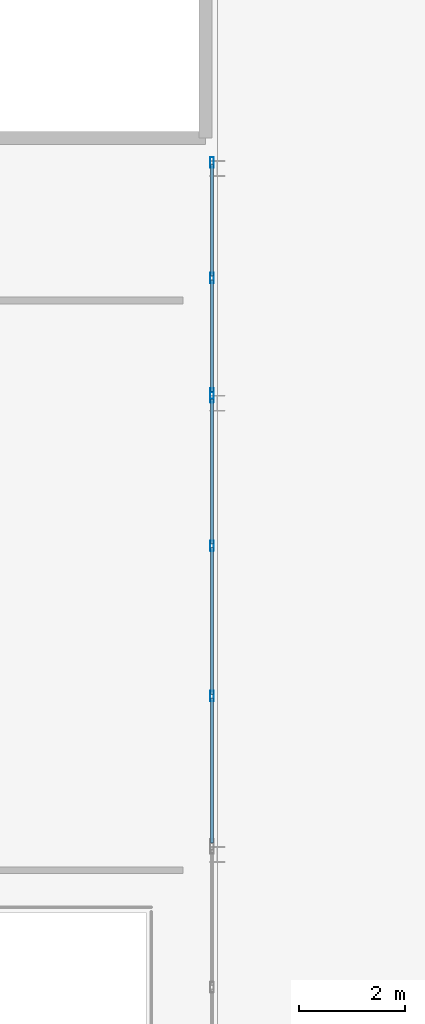
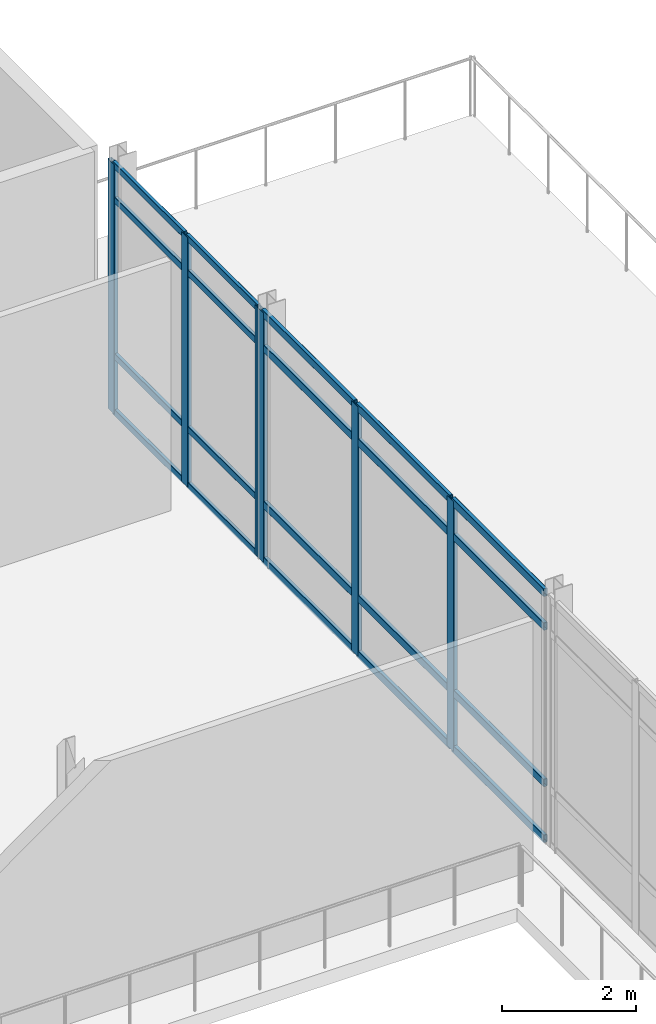
# One storey, part 77 of 154: 26 members, 2 elements without a shape of their own.
"""IFC4 building model written with IfcOpenShell, lengths in metres."""

from ifc_helpers import new_model, si_unit, direction, frame, origin, origin_2d, place, context, subcontext, project, spatial, hollow_rectangle, extrude, material, layer, layer_set, material_profile, profile_set, type_object, element, aggregate, save


model = new_model("IFC4")

# Units and contexts
model_context = context("Model", 3, precision=1e-05, world=origin(), true_north=direction((0.0, 1.0)))
body_context = subcontext(model_context, "Body", "Model", "MODEL_VIEW")
ifc_project = project(units=[si_unit("LENGTHUNIT", "METRE"), si_unit("AREAUNIT", "SQUARE_METRE"), si_unit("VOLUMEUNIT", "CUBIC_METRE"), si_unit("PLANEANGLEUNIT", "RADIAN"), si_unit("MASSUNIT", "GRAM", prefix="KILO")], contexts=[model_context])

# Site, building, storey
site_placement = place(None, origin())
site = spatial("IfcSite", under=ifc_project, at=site_placement, CompositionType="ELEMENT")
building_placement = place(site_placement, origin())
building = spatial("IfcBuilding", under=site, at=building_placement, Name="Kazehara Bluff Congress Hotel", CompositionType="ELEMENT")
storey_placement = place(building_placement, frame((0.0, 0.0, 10.199951171875)))
storey = spatial("IfcBuildingStorey", under=building, at=storey_placement, Name="L02", CompositionType="ELEMENT", Elevation=10.199951171875)

# Curtain wall, members
ifc_material_1 = material(Name="Anodised aluminium", Category="aluminium")
ifc_layer_1 = layer(ifc_material_1, 0.159912109375)
ifc_layer_set_1 = layer_set([ifc_layer_1], Name="Anodised aluminium")
curtain_wall_type_1 = type_object("IfcCurtainWallType", Name="TP-CW-137", PredefinedType="NOTDEFINED", material=ifc_layer_set_1)
curtain_wall_1_placement = place(storey_placement, origin())
curtain_wall_1 = element("IfcCurtainWall", 1, at=curtain_wall_1_placement, inside=storey, type_object=curtain_wall_type_1, Name="L02 curtain wall CW-137 CW-ENC-V3-L02-9275-10132", PredefinedType="NOTDEFINED")
ifc_material_2 = material(Name="Anodised aluminium", Category="aluminium")
ifc_material_profile_1 = material_profile(ifc_material_2, hollow_rectangle(XDim=0.070068359375, YDim=0.199951171875, WallThickness=0.0048828125, InnerFilletRadius=0.0048828125, OuterFilletRadius=0.010009765625, at=origin_2d()))
ifc_profile_set_1 = profile_set([ifc_material_profile_1], Name="Anodised aluminium")
member_type_1 = type_object("IfcMemberType", Name="TP-CWM-03", PredefinedType="MULLION", material=ifc_profile_set_1)
member_1_placement = place(storey_placement, frame((92.75, 105.56494140625, 0.0), z_axis=(0.0, 0.0, 1.0), x_axis=(1.0, 0.0, 0.0)))
member_1 = element("IfcMember", 2, at=member_1_placement, type_object=member_type_1, Name="CW-137 mullion 1", PredefinedType="MULLION", context=body_context, shape_type="SweptSolid", body=[
    extrude(hollow_rectangle(XDim=0.070068359375, YDim=0.199951171875, WallThickness=0.0048828125, InnerFilletRadius=0.0048828125, OuterFilletRadius=0.010009765625, at=origin_2d()), origin(), (0.0, 0.0, 1.0), 4.545166015625),
])
member_2_placement = place(storey_placement, frame((92.75, 102.75, 0.0), z_axis=(0.0, 0.0, 1.0), x_axis=(1.0, 0.0, 0.0)))
member_2 = element("IfcMember", 3, at=member_2_placement, type_object=member_type_1, Name="CW-137 mullion 2", PredefinedType="MULLION", context=body_context, shape_type="SweptSolid", body=[
    extrude(hollow_rectangle(XDim=0.070068359375, YDim=0.199951171875, WallThickness=0.0048828125, InnerFilletRadius=0.0048828125, OuterFilletRadius=0.010009765625, at=origin_2d()), origin(), (0.0, 0.0, 1.0), 4.545166015625),
])
member_3_placement = place(storey_placement, frame((92.75, 99.89990234375, 0.0), z_axis=(0.0, 0.0, 1.0), x_axis=(1.0, 0.0, 0.0)))
member_3 = element("IfcMember", 4, at=member_3_placement, type_object=member_type_1, Name="CW-137 mullion 3", PredefinedType="MULLION", context=body_context, shape_type="SweptSolid", body=[
    extrude(hollow_rectangle(XDim=0.070068359375, YDim=0.199951171875, WallThickness=0.0048828125, InnerFilletRadius=0.0048828125, OuterFilletRadius=0.010009765625, at=origin_2d()), origin(), (0.0, 0.0, 1.0), 4.545166015625),
])

ifc_material_3 = material(Name="Anodised aluminium", Category="aluminium")
ifc_layer_2 = layer(ifc_material_3, 0.159912109375)
ifc_layer_set_2 = layer_set([ifc_layer_2], Name="Anodised aluminium")
curtain_wall_type_2 = type_object("IfcCurtainWallType", Name="TP-CW-138", PredefinedType="NOTDEFINED", material=ifc_layer_set_2)
curtain_wall_2_placement = place(storey_placement, origin())
curtain_wall_2 = element("IfcCurtainWall", 5, at=curtain_wall_2_placement, inside=storey, type_object=curtain_wall_type_2, Name="L02 curtain wall CW-138 CW-ENC-V3-L02-9275-10782", PredefinedType="NOTDEFINED")
member_4_placement = place(storey_placement, frame((92.75, 110.014892578125, 0.0), z_axis=(0.0, 0.0, 1.0), x_axis=(1.0, 0.0, 0.0)))
member_4 = element("IfcMember", 6, at=member_4_placement, type_object=member_type_1, Name="CW-138 mullion 1", PredefinedType="MULLION", context=body_context, shape_type="SweptSolid", body=[
    extrude(hollow_rectangle(XDim=0.070068359375, YDim=0.199951171875, WallThickness=0.0048828125, InnerFilletRadius=0.0048828125, OuterFilletRadius=0.010009765625, at=origin_2d()), origin(), (0.0, 0.0, 1.0), 4.545166015625),
])
member_5_placement = place(storey_placement, frame((92.75, 107.824951171875, 0.0), z_axis=(0.0, 0.0, 1.0), x_axis=(1.0, 0.0, 0.0)))
member_5 = element("IfcMember", 7, at=member_5_placement, type_object=member_type_1, Name="CW-138 mullion 2", PredefinedType="MULLION", context=body_context, shape_type="SweptSolid", body=[
    extrude(hollow_rectangle(XDim=0.070068359375, YDim=0.199951171875, WallThickness=0.0048828125, InnerFilletRadius=0.0048828125, OuterFilletRadius=0.010009765625, at=origin_2d()), origin(), (0.0, 0.0, 1.0), 4.545166015625),
])
member_6_placement = place(storey_placement, frame((92.75, 105.635009765625, 0.0), z_axis=(0.0, 0.0, 1.0), x_axis=(1.0, 0.0, 0.0)))
member_6 = element("IfcMember", 8, at=member_6_placement, type_object=member_type_1, Name="CW-138 mullion 3", PredefinedType="MULLION", context=body_context, shape_type="SweptSolid", body=[
    extrude(hollow_rectangle(XDim=0.070068359375, YDim=0.199951171875, WallThickness=0.0048828125, InnerFilletRadius=0.0048828125, OuterFilletRadius=0.010009765625, at=origin_2d()), origin(), (0.0, 0.0, 1.0), 4.545166015625),
])
ifc_material_4 = material(Name="Anodised aluminium", Category="aluminium")
ifc_material_profile_2 = material_profile(ifc_material_4, hollow_rectangle(XDim=0.06005859375, YDim=0.1201171875, WallThickness=0.00390625, InnerFilletRadius=0.00390625, OuterFilletRadius=0.008056640625, at=origin_2d()))
ifc_profile_set_2 = profile_set([ifc_material_profile_2], Name="Anodised aluminium")
member_type_2 = type_object("IfcMemberType", Name="TP-CWT-01", PredefinedType="USERDEFINED", material=ifc_profile_set_2)
member_7_placement = place(storey_placement, frame((92.75, 109.97998046875, 0.030029296875), z_axis=(0.0, -1.0, 0.0), x_axis=(1.0, 0.0, 0.0)))
member_7 = element("IfcMember", 9, at=member_7_placement, type_object=member_type_2, Name="CW-138 transom 1.1", ObjectType="TRANSOM", PredefinedType="USERDEFINED", context=body_context, shape_type="SweptSolid", body=[
    extrude(hollow_rectangle(XDim=0.06005859375, YDim=0.1201171875, WallThickness=0.00390625, InnerFilletRadius=0.00390625, OuterFilletRadius=0.008056640625, at=origin_2d()), origin(), (0.0, 0.0, 1.0), 2.119873046875),
])
member_8_placement = place(storey_placement, frame((92.75, 109.97998046875, 1.050048828125), z_axis=(0.0, -1.0, 0.0), x_axis=(1.0, 0.0, 0.0)))
member_8 = element("IfcMember", 10, at=member_8_placement, type_object=member_type_2, Name="CW-138 transom 1.2", ObjectType="TRANSOM", PredefinedType="USERDEFINED", context=body_context, shape_type="SweptSolid", body=[
    extrude(hollow_rectangle(XDim=0.06005859375, YDim=0.1201171875, WallThickness=0.00390625, InnerFilletRadius=0.00390625, OuterFilletRadius=0.008056640625, at=origin_2d()), origin(), (0.0, 0.0, 1.0), 2.119873046875),
])
member_9_placement = place(storey_placement, frame((92.75, 109.97998046875, 3.89501953125), z_axis=(0.0, -1.0, 0.0), x_axis=(1.0, 0.0, 0.0)))
member_9 = element("IfcMember", 11, at=member_9_placement, type_object=member_type_2, Name="CW-138 transom 1.3", ObjectType="TRANSOM", PredefinedType="USERDEFINED", context=body_context, shape_type="SweptSolid", body=[
    extrude(hollow_rectangle(XDim=0.06005859375, YDim=0.1201171875, WallThickness=0.00390625, InnerFilletRadius=0.00390625, OuterFilletRadius=0.008056640625, at=origin_2d()), origin(), (0.0, 0.0, 1.0), 2.119873046875),
])
member_10_placement = place(storey_placement, frame((92.75, 109.97998046875, 4.51513671875), z_axis=(0.0, -1.0, 0.0), x_axis=(1.0, 0.0, 0.0)))
member_10 = element("IfcMember", 12, at=member_10_placement, type_object=member_type_2, Name="CW-138 transom 1.4", ObjectType="TRANSOM", PredefinedType="USERDEFINED", context=body_context, shape_type="SweptSolid", body=[
    extrude(hollow_rectangle(XDim=0.06005859375, YDim=0.1201171875, WallThickness=0.00390625, InnerFilletRadius=0.00390625, OuterFilletRadius=0.008056640625, at=origin_2d()), origin(), (0.0, 0.0, 1.0), 2.119873046875),
])
member_11_placement = place(storey_placement, frame((92.75, 107.7900390625, 0.030029296875), z_axis=(0.0, -1.0, 0.0), x_axis=(1.0, 0.0, 0.0)))
member_11 = element("IfcMember", 13, at=member_11_placement, type_object=member_type_2, Name="CW-138 transom 2.1", ObjectType="TRANSOM", PredefinedType="USERDEFINED", context=body_context, shape_type="SweptSolid", body=[
    extrude(hollow_rectangle(XDim=0.06005859375, YDim=0.1201171875, WallThickness=0.00390625, InnerFilletRadius=0.00390625, OuterFilletRadius=0.008056640625, at=origin_2d()), origin(), (0.0, 0.0, 1.0), 2.1201171875),
])
member_12_placement = place(storey_placement, frame((92.75, 107.7900390625, 1.050048828125), z_axis=(0.0, -1.0, 0.0), x_axis=(1.0, 0.0, 0.0)))
member_12 = element("IfcMember", 14, at=member_12_placement, type_object=member_type_2, Name="CW-138 transom 2.2", ObjectType="TRANSOM", PredefinedType="USERDEFINED", context=body_context, shape_type="SweptSolid", body=[
    extrude(hollow_rectangle(XDim=0.06005859375, YDim=0.1201171875, WallThickness=0.00390625, InnerFilletRadius=0.00390625, OuterFilletRadius=0.008056640625, at=origin_2d()), origin(), (0.0, 0.0, 1.0), 2.1201171875),
])
member_13_placement = place(storey_placement, frame((92.75, 107.7900390625, 3.89501953125), z_axis=(0.0, -1.0, 0.0), x_axis=(1.0, 0.0, 0.0)))
member_13 = element("IfcMember", 15, at=member_13_placement, type_object=member_type_2, Name="CW-138 transom 2.3", ObjectType="TRANSOM", PredefinedType="USERDEFINED", context=body_context, shape_type="SweptSolid", body=[
    extrude(hollow_rectangle(XDim=0.06005859375, YDim=0.1201171875, WallThickness=0.00390625, InnerFilletRadius=0.00390625, OuterFilletRadius=0.008056640625, at=origin_2d()), origin(), (0.0, 0.0, 1.0), 2.1201171875),
])
member_14_placement = place(storey_placement, frame((92.75, 107.7900390625, 4.51513671875), z_axis=(0.0, -1.0, 0.0), x_axis=(1.0, 0.0, 0.0)))
member_14 = element("IfcMember", 16, at=member_14_placement, type_object=member_type_2, Name="CW-138 transom 2.4", ObjectType="TRANSOM", PredefinedType="USERDEFINED", context=body_context, shape_type="SweptSolid", body=[
    extrude(hollow_rectangle(XDim=0.06005859375, YDim=0.1201171875, WallThickness=0.00390625, InnerFilletRadius=0.00390625, OuterFilletRadius=0.008056640625, at=origin_2d()), origin(), (0.0, 0.0, 1.0), 2.1201171875),
])
aggregate(curtain_wall_2, [member_4, member_5, member_6, member_7, member_8, member_9, member_10, member_11, member_12, member_13, member_14])

# Member
ifc_material_5 = material(Name="Anodised aluminium", Category="aluminium")
ifc_material_profile_3 = material_profile(ifc_material_5, hollow_rectangle(XDim=0.06494140625, YDim=0.139892578125, WallThickness=0.00390625, InnerFilletRadius=0.00390625, OuterFilletRadius=0.008056640625, at=origin_2d()))
ifc_profile_set_3 = profile_set([ifc_material_profile_3], Name="Anodised aluminium")
member_type_3 = type_object("IfcMemberType", Name="TP-CWT-02", PredefinedType="USERDEFINED", material=ifc_profile_set_3)
member_15_placement = place(storey_placement, frame((92.75, 105.530029296875, 0.032470703125), z_axis=(0.0, -1.0, 0.0), x_axis=(1.0, 0.0, 0.0)))
member_15 = element("IfcMember", 17, at=member_15_placement, type_object=member_type_3, Name="CW-137 transom 1.1", ObjectType="TRANSOM", PredefinedType="USERDEFINED", context=body_context, shape_type="SweptSolid", body=[
    extrude(hollow_rectangle(XDim=0.06494140625, YDim=0.139892578125, WallThickness=0.00390625, InnerFilletRadius=0.00390625, OuterFilletRadius=0.008056640625, at=origin_2d()), origin(), (0.0, 0.0, 1.0), 2.7451171875),
])

member_16_placement = place(storey_placement, frame((92.75, 105.530029296875, 1.050048828125), z_axis=(0.0, -1.0, 0.0), x_axis=(1.0, 0.0, 0.0)))
member_16 = element("IfcMember", 18, at=member_16_placement, type_object=member_type_3, Name="CW-137 transom 1.2", ObjectType="TRANSOM", PredefinedType="USERDEFINED", context=body_context, shape_type="SweptSolid", body=[
    extrude(hollow_rectangle(XDim=0.06494140625, YDim=0.139892578125, WallThickness=0.00390625, InnerFilletRadius=0.00390625, OuterFilletRadius=0.008056640625, at=origin_2d()), origin(), (0.0, 0.0, 1.0), 2.7451171875),
])

member_17_placement = place(storey_placement, frame((92.75, 105.530029296875, 3.89501953125), z_axis=(0.0, -1.0, 0.0), x_axis=(1.0, 0.0, 0.0)))
member_17 = element("IfcMember", 19, at=member_17_placement, type_object=member_type_3, Name="CW-137 transom 1.3", ObjectType="TRANSOM", PredefinedType="USERDEFINED", context=body_context, shape_type="SweptSolid", body=[
    extrude(hollow_rectangle(XDim=0.06494140625, YDim=0.139892578125, WallThickness=0.00390625, InnerFilletRadius=0.00390625, OuterFilletRadius=0.008056640625, at=origin_2d()), origin(), (0.0, 0.0, 1.0), 2.7451171875),
])

member_18_placement = place(storey_placement, frame((92.75, 105.530029296875, 4.512451171875), z_axis=(0.0, -1.0, 0.0), x_axis=(1.0, 0.0, 0.0)))
member_18 = element("IfcMember", 20, at=member_18_placement, type_object=member_type_3, Name="CW-137 transom 1.4", ObjectType="TRANSOM", PredefinedType="USERDEFINED", context=body_context, shape_type="SweptSolid", body=[
    extrude(hollow_rectangle(XDim=0.06494140625, YDim=0.139892578125, WallThickness=0.00390625, InnerFilletRadius=0.00390625, OuterFilletRadius=0.008056640625, at=origin_2d()), origin(), (0.0, 0.0, 1.0), 2.7451171875),
])

member_19_placement = place(storey_placement, frame((92.75, 102.715087890625, 0.032470703125), z_axis=(0.0, -1.0, 0.0), x_axis=(1.0, 0.0, 0.0)))
member_19 = element("IfcMember", 21, at=member_19_placement, type_object=member_type_3, Name="CW-137 transom 2.1", ObjectType="TRANSOM", PredefinedType="USERDEFINED", context=body_context, shape_type="SweptSolid", body=[
    extrude(hollow_rectangle(XDim=0.06494140625, YDim=0.139892578125, WallThickness=0.00390625, InnerFilletRadius=0.00390625, OuterFilletRadius=0.008056640625, at=origin_2d()), origin(), (0.0, 0.0, 1.0), 2.780029296875),
])

member_20_placement = place(storey_placement, frame((92.75, 102.715087890625, 1.050048828125), z_axis=(0.0, -1.0, 0.0), x_axis=(1.0, 0.0, 0.0)))
member_20 = element("IfcMember", 22, at=member_20_placement, type_object=member_type_3, Name="CW-137 transom 2.2", ObjectType="TRANSOM", PredefinedType="USERDEFINED", context=body_context, shape_type="SweptSolid", body=[
    extrude(hollow_rectangle(XDim=0.06494140625, YDim=0.139892578125, WallThickness=0.00390625, InnerFilletRadius=0.00390625, OuterFilletRadius=0.008056640625, at=origin_2d()), origin(), (0.0, 0.0, 1.0), 2.780029296875),
])

member_21_placement = place(storey_placement, frame((92.75, 102.715087890625, 3.89501953125), z_axis=(0.0, -1.0, 0.0), x_axis=(1.0, 0.0, 0.0)))
member_21 = element("IfcMember", 23, at=member_21_placement, type_object=member_type_3, Name="CW-137 transom 2.3", ObjectType="TRANSOM", PredefinedType="USERDEFINED", context=body_context, shape_type="SweptSolid", body=[
    extrude(hollow_rectangle(XDim=0.06494140625, YDim=0.139892578125, WallThickness=0.00390625, InnerFilletRadius=0.00390625, OuterFilletRadius=0.008056640625, at=origin_2d()), origin(), (0.0, 0.0, 1.0), 2.780029296875),
])

member_22_placement = place(storey_placement, frame((92.75, 102.715087890625, 4.512451171875), z_axis=(0.0, -1.0, 0.0), x_axis=(1.0, 0.0, 0.0)))
member_22 = element("IfcMember", 24, at=member_22_placement, type_object=member_type_3, Name="CW-137 transom 2.4", ObjectType="TRANSOM", PredefinedType="USERDEFINED", context=body_context, shape_type="SweptSolid", body=[
    extrude(hollow_rectangle(XDim=0.06494140625, YDim=0.139892578125, WallThickness=0.00390625, InnerFilletRadius=0.00390625, OuterFilletRadius=0.008056640625, at=origin_2d()), origin(), (0.0, 0.0, 1.0), 2.780029296875),
])

member_23_placement = place(storey_placement, frame((92.75, 99.864990234375, 0.032470703125), z_axis=(0.0, -1.0, 0.0), x_axis=(1.0, 0.0, 0.0)))
member_23 = element("IfcMember", 25, at=member_23_placement, type_object=member_type_3, Name="CW-137 transom 3.1", ObjectType="TRANSOM", PredefinedType="USERDEFINED", context=body_context, shape_type="SweptSolid", body=[
    extrude(hollow_rectangle(XDim=0.06494140625, YDim=0.139892578125, WallThickness=0.00390625, InnerFilletRadius=0.00390625, OuterFilletRadius=0.008056640625, at=origin_2d()), origin(), (0.0, 0.0, 1.0), 2.744873046875),
])

member_24_placement = place(storey_placement, frame((92.75, 99.864990234375, 1.050048828125), z_axis=(0.0, -1.0, 0.0), x_axis=(1.0, 0.0, 0.0)))
member_24 = element("IfcMember", 26, at=member_24_placement, type_object=member_type_3, Name="CW-137 transom 3.2", ObjectType="TRANSOM", PredefinedType="USERDEFINED", context=body_context, shape_type="SweptSolid", body=[
    extrude(hollow_rectangle(XDim=0.06494140625, YDim=0.139892578125, WallThickness=0.00390625, InnerFilletRadius=0.00390625, OuterFilletRadius=0.008056640625, at=origin_2d()), origin(), (0.0, 0.0, 1.0), 2.744873046875),
])

member_25_placement = place(storey_placement, frame((92.75, 99.864990234375, 3.89501953125), z_axis=(0.0, -1.0, 0.0), x_axis=(1.0, 0.0, 0.0)))
member_25 = element("IfcMember", 27, at=member_25_placement, type_object=member_type_3, Name="CW-137 transom 3.3", ObjectType="TRANSOM", PredefinedType="USERDEFINED", context=body_context, shape_type="SweptSolid", body=[
    extrude(hollow_rectangle(XDim=0.06494140625, YDim=0.139892578125, WallThickness=0.00390625, InnerFilletRadius=0.00390625, OuterFilletRadius=0.008056640625, at=origin_2d()), origin(), (0.0, 0.0, 1.0), 2.744873046875),
])

member_26_placement = place(storey_placement, frame((92.75, 99.864990234375, 4.512451171875), z_axis=(0.0, -1.0, 0.0), x_axis=(1.0, 0.0, 0.0)))
member_26 = element("IfcMember", 28, at=member_26_placement, type_object=member_type_3, Name="CW-137 transom 3.4", ObjectType="TRANSOM", PredefinedType="USERDEFINED", context=body_context, shape_type="SweptSolid", body=[
    extrude(hollow_rectangle(XDim=0.06494140625, YDim=0.139892578125, WallThickness=0.00390625, InnerFilletRadius=0.00390625, OuterFilletRadius=0.008056640625, at=origin_2d()), origin(), (0.0, 0.0, 1.0), 2.744873046875),
])

aggregate(curtain_wall_1, [member_1, member_2, member_3, member_15, member_16, member_17, member_18, member_19, member_20, member_21, member_22, member_23, member_24, member_25, member_26])

save(model, "model.ifc")
